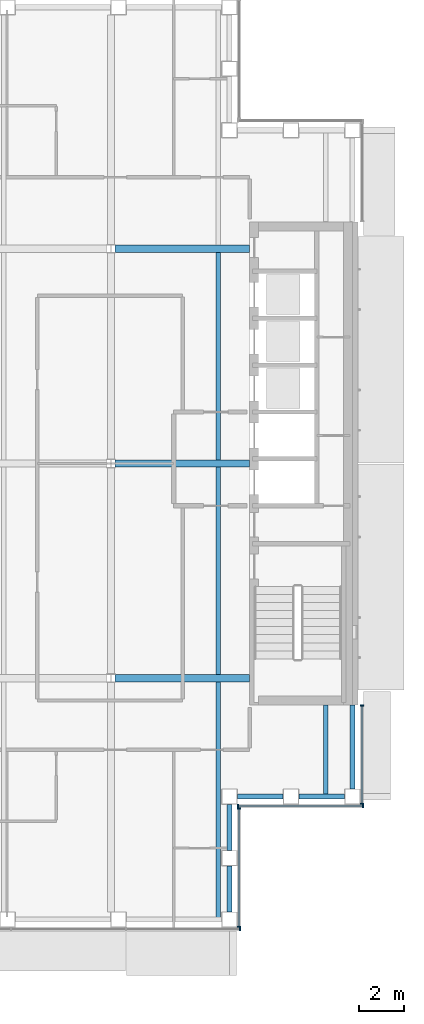
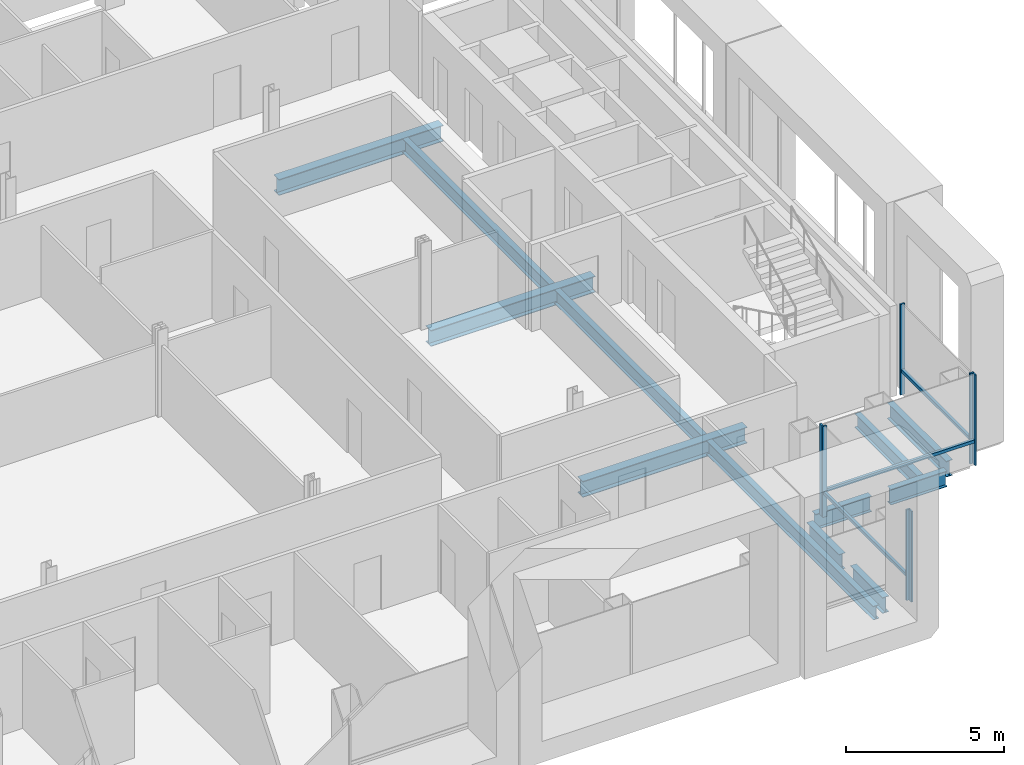
# One storey, part 5 of 19: 12 beams, 10 members, 4 elements without a shape of their own.
"""IFC4 building model written with IfcOpenShell, lengths in metres."""

from ifc_helpers import new_model, si_unit, direction, frame, origin, origin_2d, place, context, subcontext, project, spatial, rectangle, i_section, extrude, material, material_profile, profile_set, type_object, element, aggregate, save


model = new_model("IFC4")

# Units and contexts
model_context = context("Model", 3, precision=1e-05, world=origin(), true_north=direction((0.0, 1.0)))
body_context = subcontext(model_context, "Body", "Model", "MODEL_VIEW")
ifc_project = project(units=[si_unit("LENGTHUNIT", "METRE"), si_unit("AREAUNIT", "SQUARE_METRE"), si_unit("VOLUMEUNIT", "CUBIC_METRE"), si_unit("PLANEANGLEUNIT", "RADIAN"), si_unit("MASSUNIT", "GRAM", prefix="KILO")], contexts=[model_context])

# Site, building, storey
site_placement = place(None, origin())
site = spatial("IfcSite", under=ifc_project, at=site_placement, CompositionType="ELEMENT")
building_placement = place(site_placement, origin())
building = spatial("IfcBuilding", under=site, at=building_placement, Name="Cobrizo Arcos Hotel Tower", CompositionType="ELEMENT")
storey_placement = place(building_placement, frame((0.0, 0.0, 198.0)))
storey = spatial("IfcBuildingStorey", under=building, at=storey_placement, Name="L51", CompositionType="ELEMENT", Elevation=198.0)

# Curtain wall, member
ifc_material_1 = material(Name="Aluminium 6063-T6 anodised bronze", Category="aluminium")
curtain_wall_type = type_object("IfcCurtainWallType", Name="CW-A guest facade", PredefinedType="NOTDEFINED", material=ifc_material_1)
curtain_wall_1_placement = place(storey_placement, origin())
curtain_wall_1 = element("IfcCurtainWall", 1, at=curtain_wall_1_placement, inside=storey, type_object=curtain_wall_type, Name="CW-A L51 S face", PredefinedType="NOTDEFINED")
ifc_material_profile_1 = material_profile(ifc_material_1, rectangle(XDim=0.14990234375, YDim=0.06005859375, at=origin_2d()), Name="CW-A mullion 150x60")
ifc_profile_set_1 = profile_set([ifc_material_profile_1], Name="Aluminium 6063-T6 anodised bronze")
member_type_1 = type_object("IfcMemberType", Name="CW-A mullion 150x60", PredefinedType="MULLION", material=ifc_profile_set_1)
member_1_placement = place(storey_placement, frame((15.3701171875, -20.824951171875, 0.0), z_axis=(0.0, 0.0, 1.0), x_axis=(0.0, -1.0, 0.0)))
member_1 = element("IfcMember", 2, at=member_1_placement, type_object=member_type_1, Name="CW-A mullion 7", PredefinedType="MULLION", context=body_context, shape_type="SweptSolid", body=[
    extrude(rectangle(XDim=0.14990234375, YDim=0.06005859375, at=origin_2d()), origin(), (0.0, 0.0, 1.0), 3.5),
])
aggregate(curtain_wall_1, [member_1])

# Curtain wall, members
curtain_wall_2_placement = place(storey_placement, origin())
curtain_wall_2 = element("IfcCurtainWall", 3, at=curtain_wall_2_placement, inside=storey, type_object=curtain_wall_type, Name="CW-A L51 E face", PredefinedType="NOTDEFINED")
member_2_placement = place(storey_placement, frame((15.324951171875, -20.719970703125, 0.0), z_axis=(0.0, 0.0, 1.0), x_axis=(1.0, 0.0, 0.0)))
member_2 = element("IfcMember", 4, at=member_2_placement, type_object=member_type_1, Name="CW-A mullion 1", PredefinedType="MULLION", context=body_context, shape_type="SweptSolid", body=[
    extrude(rectangle(XDim=0.14990234375, YDim=0.06005859375, at=origin_2d()), origin(), (0.0, 0.0, 1.0), 3.5),
])
member_3_placement = place(storey_placement, frame((15.324951171875, -15.429931640625, 0.0), z_axis=(0.0, 0.0, 1.0), x_axis=(1.0, 0.0, 0.0)))
member_3 = element("IfcMember", 5, at=member_3_placement, type_object=member_type_1, Name="CW-A mullion 2", PredefinedType="MULLION", context=body_context, shape_type="SweptSolid", body=[
    extrude(rectangle(XDim=0.14990234375, YDim=0.06005859375, at=origin_2d()), origin(), (0.0, 0.0, 1.0), 3.5),
])

curtain_wall_3_placement = place(storey_placement, origin())
curtain_wall_3 = element("IfcCurtainWall", 6, at=curtain_wall_3_placement, inside=storey, type_object=curtain_wall_type, Name="CW-A L51 S face", PredefinedType="NOTDEFINED")
member_4_placement = place(storey_placement, frame((15.280029296875, -15.324951171875, 0.0), z_axis=(0.0, 0.0, 1.0), x_axis=(0.0, -1.0, 0.0)))
member_4 = element("IfcMember", 7, at=member_4_placement, type_object=member_type_1, Name="CW-A mullion 1", PredefinedType="MULLION", context=body_context, shape_type="SweptSolid", body=[
    extrude(rectangle(XDim=0.14990234375, YDim=0.06005859375, at=origin_2d()), origin(), (0.0, 0.0, 1.0), 3.5),
])
member_5_placement = place(storey_placement, frame((20.8701171875, -15.324951171875, 0.0), z_axis=(0.0, 0.0, 1.0), x_axis=(0.0, -1.0, 0.0)))
member_5 = element("IfcMember", 8, at=member_5_placement, type_object=member_type_1, Name="CW-A mullion 2", PredefinedType="MULLION", context=body_context, shape_type="SweptSolid", body=[
    extrude(rectangle(XDim=0.14990234375, YDim=0.06005859375, at=origin_2d()), origin(), (0.0, 0.0, 1.0), 3.5),
])

curtain_wall_4_placement = place(storey_placement, origin())
curtain_wall_4 = element("IfcCurtainWall", 9, at=curtain_wall_4_placement, inside=storey, type_object=curtain_wall_type, Name="CW-A L51 E face", PredefinedType="NOTDEFINED")
member_6_placement = place(storey_placement, frame((20.824951171875, -15.219970703125, 0.0), z_axis=(0.0, 0.0, 1.0), x_axis=(1.0, 0.0, 0.0)))
member_6 = element("IfcMember", 10, at=member_6_placement, type_object=member_type_1, Name="CW-A mullion 1", PredefinedType="MULLION", context=body_context, shape_type="SweptSolid", body=[
    extrude(rectangle(XDim=0.14990234375, YDim=0.06005859375, at=origin_2d()), origin(), (0.0, 0.0, 1.0), 3.5),
])
member_7_placement = place(storey_placement, frame((20.824951171875, -10.830078125, 0.0), z_axis=(0.0, 0.0, 1.0), x_axis=(1.0, 0.0, 0.0)))
member_7 = element("IfcMember", 11, at=member_7_placement, type_object=member_type_1, Name="CW-A mullion 2", PredefinedType="MULLION", context=body_context, shape_type="SweptSolid", body=[
    extrude(rectangle(XDim=0.14990234375, YDim=0.06005859375, at=origin_2d()), origin(), (0.0, 0.0, 1.0), 3.5),
])

# Member
ifc_material_profile_2 = material_profile(ifc_material_1, rectangle(XDim=0.10009765625, YDim=0.1201171875, at=origin_2d()), Name="CW-A transom 120x100")
ifc_profile_set_2 = profile_set([ifc_material_profile_2], Name="Aluminium 6063-T6 anodised bronze")
member_type_2 = type_object("IfcMemberType", Name="CW-A transom 120x100", PredefinedType="USERDEFINED", material=ifc_profile_set_2)
member_8_placement = place(storey_placement, frame((15.324951171875, -20.68994140625, 0.929931640625), z_axis=(0.0, 1.0, 0.0), x_axis=(-1.0, 0.0, 0.0)))
member_8 = element("IfcMember", 12, at=member_8_placement, type_object=member_type_2, Name="CW-A transom 1750", ObjectType="TRANSOM", PredefinedType="USERDEFINED", context=body_context, shape_type="SweptSolid", body=[
    extrude(rectangle(XDim=0.10009765625, YDim=0.1201171875, at=origin_2d()), origin(), (0.0, 0.0, 1.0), 5.22998046875),
])

aggregate(curtain_wall_2, [member_2, member_3, member_8])

member_9_placement = place(storey_placement, frame((15.31005859375, -15.324951171875, 0.929931640625), z_axis=(1.0, 0.0, 0.0), x_axis=(0.0, 1.0, 0.0)))
member_9 = element("IfcMember", 13, at=member_9_placement, type_object=member_type_2, Name="CW-A transom 1751", ObjectType="TRANSOM", PredefinedType="USERDEFINED", context=body_context, shape_type="SweptSolid", body=[
    extrude(rectangle(XDim=0.10009765625, YDim=0.1201171875, at=origin_2d()), origin(), (0.0, 0.0, 1.0), 5.530029296875),
])

aggregate(curtain_wall_3, [member_4, member_5, member_9])

member_10_placement = place(storey_placement, frame((20.824951171875, -15.18994140625, 0.929931640625), z_axis=(0.0, 1.0, 0.0), x_axis=(-1.0, 0.0, 0.0)))
member_10 = element("IfcMember", 14, at=member_10_placement, type_object=member_type_2, Name="CW-A transom 1752", ObjectType="TRANSOM", PredefinedType="USERDEFINED", context=body_context, shape_type="SweptSolid", body=[
    extrude(rectangle(XDim=0.10009765625, YDim=0.1201171875, at=origin_2d()), origin(), (0.0, 0.0, 1.0), 4.329833984375),
])

aggregate(curtain_wall_4, [member_6, member_7, member_10])

# Beams
ifc_material_2 = material(Name="Steel ASTM A992 Grade 50", Category="steel")
ifc_material_profile_3 = material_profile(ifc_material_2, i_section(OverallWidth=0.209228515625, OverallDepth=0.533447265625, WebThickness=0.01025390625, FlangeThickness=0.015625, at=origin_2d()), Name="W21X62")
ifc_profile_set_3 = profile_set([ifc_material_profile_3], Name="Steel ASTM A992 Grade 50")
beam_type_1 = type_object("IfcBeamType", Name="W21X62 joist", PredefinedType="JOIST", material=ifc_profile_set_3)
beam_1_placement = place(storey_placement, frame((14.39990234375, -20.31005859375, -0.416748046875), z_axis=(0.0, 1.0, 0.0), x_axis=(-1.0, 0.0, 0.0)))
element("IfcBeam", 15, at=beam_1_placement, inside=storey, type_object=beam_type_1, Name="Floor joist J1, L51, no. 015", PredefinedType="JOIST", context=body_context, shape_type="SweptSolid", body=[
    extrude(i_section(OverallWidth=0.209228515625, OverallDepth=0.533447265625, WebThickness=0.01025390625, FlangeThickness=0.015625, at=origin_2d()), origin(), (0.0, 0.0, 1.0), 10.546142578125),
])
for number, where, z_axis, x_axis, name in (
    (16, (14.39990234375, -9.43603515625, -0.416748046875), (0.0, 1.0, 0.0), (-1.0, 0.0, 0.0), "Floor joist J1, L51, no. 016"),
    (17, (14.39990234375, 0.163818359375, -0.416748046875), (0.0, 1.0, 0.0), (-1.0, 0.0, 0.0), "Floor joist J1, L51, no. 017"),
):
    element("IfcBeam", number, at=place(storey_placement, frame(where, z_axis=z_axis, x_axis=x_axis)), inside=storey, type_object=beam_type_1, Name=name, PredefinedType="JOIST", context=body_context, shape_type="SweptSolid", body=[
        extrude(i_section(OverallWidth=0.209228515625, OverallDepth=0.533447265625, WebThickness=0.01025390625, FlangeThickness=0.015625, at=origin_2d()), origin(), (0.0, 0.0, 1.0), 9.272216796875),
    ])
beam_2_placement = place(storey_placement, frame((19.199951171875, -14.81005859375, -0.416748046875), z_axis=(0.0, 1.0, 0.0), x_axis=(-1.0, 0.0, 0.0)))
element("IfcBeam", 18, at=beam_2_placement, inside=storey, type_object=beam_type_1, Name="Floor joist J1, L51, no. 019", PredefinedType="JOIST", context=body_context, shape_type="SweptSolid", body=[
    extrude(i_section(OverallWidth=0.209228515625, OverallDepth=0.533447265625, WebThickness=0.01025390625, FlangeThickness=0.015625, at=origin_2d()), origin(), (0.0, 0.0, 1.0), 4.0),
])
ifc_material_profile_4 = material_profile(ifc_material_2, i_section(OverallWidth=0.32763671875, OverallDepth=0.622314453125, WebThickness=0.015380859375, FlangeThickness=0.0244140625, at=origin_2d()), Name="W24X131")
ifc_profile_set_4 = profile_set([ifc_material_profile_4], Name="Steel ASTM A992 Grade 50")
beam_type_2 = type_object("IfcBeamType", Name="W24X131 girder", PredefinedType="BEAM", material=ifc_profile_set_4)
for number, where, z_axis, x_axis, name in (
    (19, (9.78662109375, -9.60009765625, -0.461181640625), (1.0, 0.0, 0.0), (0.0, 1.0, 0.0), "Floor girder G1, L51, no. 004"),
    (20, (9.78662109375, 0.0, -0.461181640625), (1.0, 0.0, 0.0), (0.0, 1.0, 0.0), "Floor girder G1, L51, no. 008"),
    (21, (9.78662109375, 9.60009765625, -0.461181640625), (1.0, 0.0, 0.0), (0.0, 1.0, 0.0), "Floor girder G1, L51, no. 012"),
):
    element("IfcBeam", number, at=place(storey_placement, frame(where, z_axis=z_axis, x_axis=x_axis)), inside=storey, type_object=beam_type_2, Name=name, PredefinedType="BEAM", context=body_context, shape_type="SweptSolid", body=[
        extrude(i_section(OverallWidth=0.32763671875, OverallDepth=0.622314453125, WebThickness=0.015380859375, FlangeThickness=0.0244140625, at=origin_2d()), origin(), (0.0, 0.0, 1.0), 6.00341796875),
    ])
ifc_material_profile_5 = material_profile(ifc_material_2, i_section(OverallWidth=0.228271484375, OverallDepth=0.607177734375, WebThickness=0.01123046875, FlangeThickness=0.017333984375, at=origin_2d()), Name="W24X76")
ifc_profile_set_5 = profile_set([ifc_material_profile_5], Name="Steel ASTM A992 Grade 50")
beam_type_3 = type_object("IfcBeamType", Name="W24X76 spandrel", PredefinedType="SPANDREL", material=ifc_profile_set_5)
for number, where, z_axis, x_axis, name in (
    (22, (14.89990234375, -20.050048828125, -0.45361328125), (0.0, 1.0, 0.0), (-1.0, 0.0, 0.0), "Spandrel beam W24X76, L51, no. 007"),
    (23, (14.89990234375, -17.300048828125, -0.45361328125), (0.0, 1.0, 0.0), (-1.0, 0.0, 0.0), "Spandrel beam W24X76, L51, no. 008"),
    (24, (15.25, -14.89990234375, -0.45361328125), (1.0, 0.0, 0.0), (0.0, 1.0, 0.0), "Spandrel beam W24X76, L51, no. 009"),
    (25, (18.0, -14.89990234375, -0.45361328125), (1.0, 0.0, 0.0), (0.0, 1.0, 0.0), "Spandrel beam W24X76, L51, no. 010"),
):
    element("IfcBeam", number, at=place(storey_placement, frame(where, z_axis=z_axis, x_axis=x_axis)), inside=storey, type_object=beam_type_3, Name=name, PredefinedType="SPANDREL", context=body_context, shape_type="SweptSolid", body=[
        extrude(i_section(OverallWidth=0.228271484375, OverallDepth=0.607177734375, WebThickness=0.01123046875, FlangeThickness=0.017333984375, at=origin_2d()), origin(), (0.0, 0.0, 1.0), 2.050048828125),
    ])
beam_3_placement = place(storey_placement, frame((20.39990234375, -14.550048828125, -0.45361328125), z_axis=(0.0, 1.0, 0.0), x_axis=(-1.0, 0.0, 0.0)))
element("IfcBeam", 26, at=beam_3_placement, inside=storey, type_object=beam_type_3, Name="Spandrel beam W24X76, L51, no. 011", PredefinedType="SPANDREL", context=body_context, shape_type="SweptSolid", body=[
    extrude(i_section(OverallWidth=0.228271484375, OverallDepth=0.607177734375, WebThickness=0.01123046875, FlangeThickness=0.017333984375, at=origin_2d()), origin(), (0.0, 0.0, 1.0), 3.739990234375),
])

save(model, "model.ifc")
